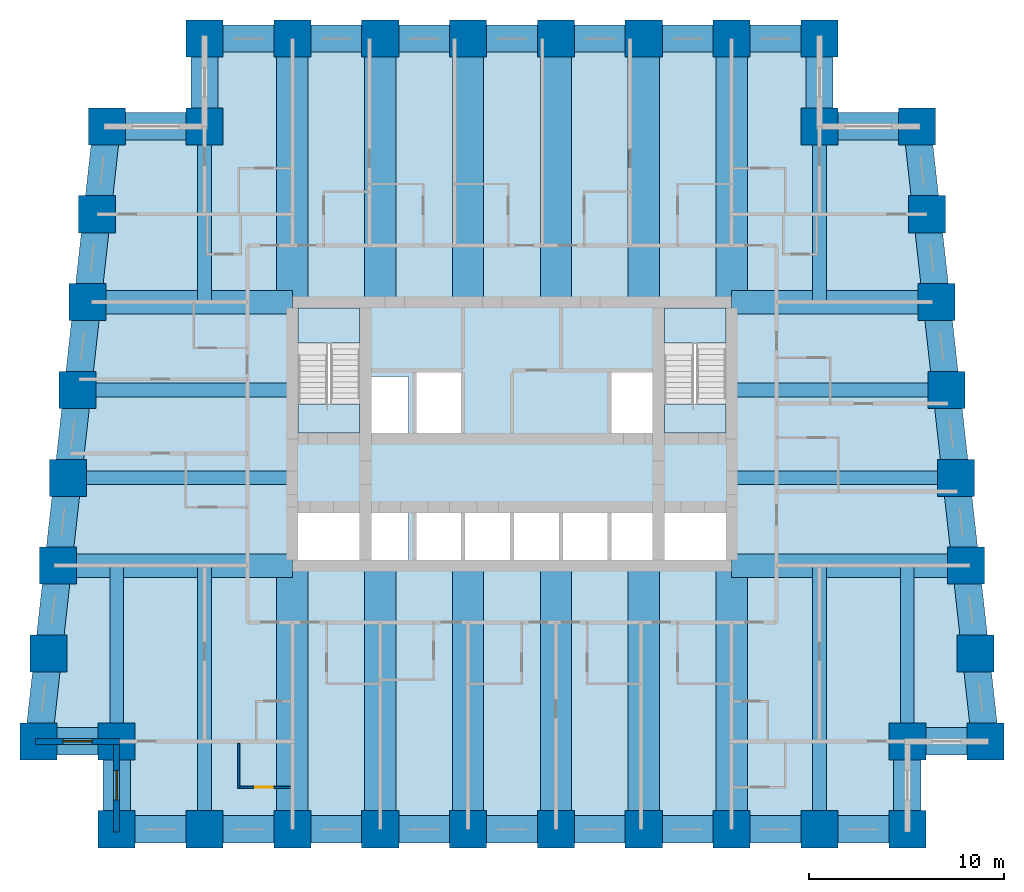
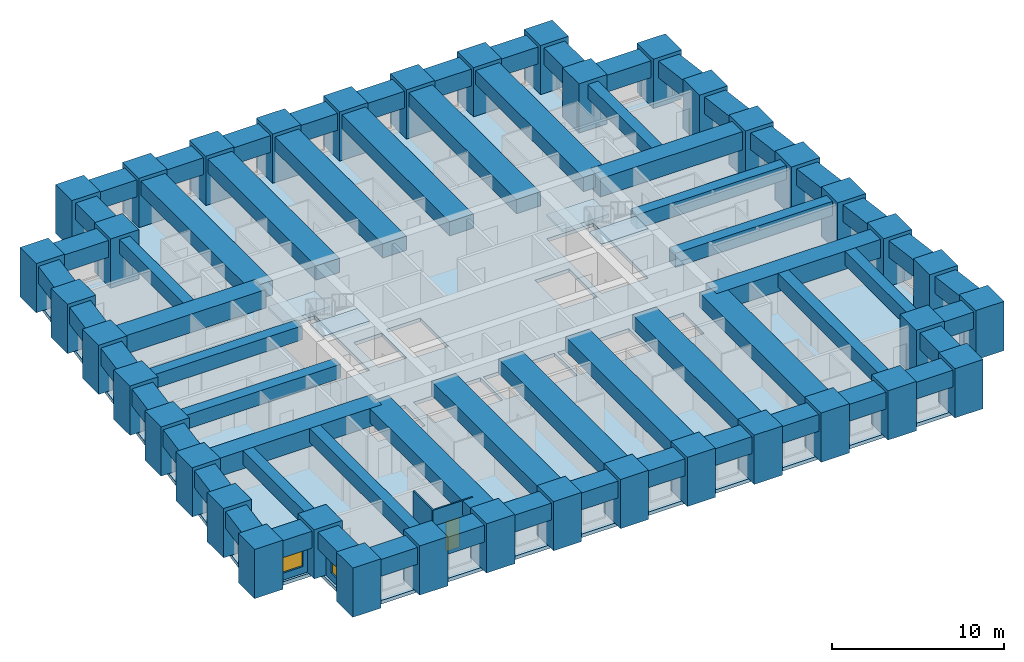
# One storey, part 1 of 8: 64 beams, 38 columns, 5 slabs, 4 walls, 2 windows, 1 door, 3 openings, 2 elements without a shape of their own.
"""IFC4 building model written with IfcOpenShell, lengths in metres."""

from ifc_helpers import new_model, si_unit, direction, frame, frame_2d, origin, origin_2d, place, context, subcontext, project, spatial, polyline, rectangle, outline, extrude, material, layer, layer_set, material_profile, profile_set, type_object, element, fill, aggregate, save


model = new_model("IFC4")

# Units and contexts
model_context = context("Model", 3, precision=1e-05, world=origin(), true_north=direction((0.0, 1.0)))
body_context = subcontext(model_context, "Body", "Model", "MODEL_VIEW")
ifc_project = project(units=[si_unit("LENGTHUNIT", "METRE"), si_unit("AREAUNIT", "SQUARE_METRE"), si_unit("VOLUMEUNIT", "CUBIC_METRE"), si_unit("PLANEANGLEUNIT", "RADIAN"), si_unit("MASSUNIT", "GRAM", prefix="KILO")], contexts=[model_context])

# Site, building, storey
site_placement = place(None, origin())
site = spatial("IfcSite", under=ifc_project, at=site_placement, CompositionType="ELEMENT")
building_placement = place(site_placement, origin())
building = spatial("IfcBuilding", under=site, at=building_placement, Name="Kilele Tower Hotel", CompositionType="ELEMENT")
storey_placement = place(building_placement, frame((0.0, 0.0, 68.199951171875)))
storey = spatial("IfcBuildingStorey", under=building, at=storey_placement, Name="L16", CompositionType="ELEMENT", Elevation=68.199951171875)

# Columns
ifc_material_1 = material(Name="Concrete C80/95", Category="concrete")
ifc_material_profile_1 = material_profile(ifc_material_1, rectangle(XDim=1.89990234375, YDim=1.89990234375, at=origin_2d()))
ifc_profile_set_1 = profile_set([ifc_material_profile_1], Name="Concrete C80/95")
column_type = type_object("IfcColumnType", Name="Tube column RC 1900x1900 C80/95", PredefinedType="COLUMN", material=ifc_profile_set_1)
for number, where, z_axis, x_axis, name in (
    (1, (0.5, 4.5, 0.0), (0.0, 0.0, 1.0), (1.0, 0.0, 0.0), "Column TC1 L16"),
    (2, (4.5, 4.5, 0.0), (0.0, 0.0, 1.0), (1.0, 0.0, 0.0), "Column TC1 L16"),
    (3, (4.5, 0.0, 0.0), (0.0, 0.0, 1.0), (1.0, 0.0, 0.0), "Column TC1 L16"),
    (4, (9.0, 0.0, 0.0), (0.0, 0.0, 1.0), (1.0, 0.0, 0.0), "Column TC1 L16"),
    (5, (13.5, 0.0, 0.0), (0.0, 0.0, 1.0), (1.0, 0.0, 0.0), "Column TC1 L16"),
    (6, (18.0, 0.0, 0.0), (0.0, 0.0, 1.0), (1.0, 0.0, 0.0), "Column TC1 L16"),
    (7, (22.5, 0.0, 0.0), (0.0, 0.0, 1.0), (1.0, 0.0, 0.0), "Column TC1 L16"),
    (8, (27.0, 0.0, 0.0), (0.0, 0.0, 1.0), (1.0, 0.0, 0.0), "Column TC1 L16"),
    (9, (31.5, 0.0, 0.0), (0.0, 0.0, 1.0), (1.0, 0.0, 0.0), "Column TC1 L16"),
    (10, (36.0, 0.0, 0.0), (0.0, 0.0, 1.0), (1.0, 0.0, 0.0), "Column TC1 L16"),
    (11, (40.5, 0.0, 0.0), (0.0, 0.0, 1.0), (1.0, 0.0, 0.0), "Column TC1 L16"),
    (12, (45.0, 0.0, 0.0), (0.0, 0.0, 1.0), (1.0, 0.0, 0.0), "Column TC1 L16"),
    (13, (45.0, 4.5, 0.0), (0.0, 0.0, 1.0), (1.0, 0.0, 0.0), "Column TC1 L16"),
    (14, (49.0, 4.5, 0.0), (0.0, 0.0, 1.0), (1.0, 0.0, 0.0), "Column TC1 L16"),
    (15, (48.5, 9.0, 0.0), (0.0, 0.0, 1.0), (1.0, 0.0, 0.0), "Column TC1 L16"),
    (16, (48.0, 13.5, 0.0), (0.0, 0.0, 1.0), (1.0, 0.0, 0.0), "Column TC1 L16"),
    (17, (47.5, 18.0, 0.0), (0.0, 0.0, 1.0), (1.0, 0.0, 0.0), "Column TC1 L16"),
    (18, (47.0, 22.5, 0.0), (0.0, 0.0, 1.0), (1.0, 0.0, 0.0), "Column TC1 L16"),
    (19, (46.5, 27.0, 0.0), (0.0, 0.0, 1.0), (1.0, 0.0, 0.0), "Column TC1 L16"),
    (20, (46.0, 31.5, 0.0), (0.0, 0.0, 1.0), (1.0, 0.0, 0.0), "Column TC1 L16"),
    (21, (45.5, 36.0, 0.0), (0.0, 0.0, 1.0), (1.0, 0.0, 0.0), "Column TC1 L16"),
    (22, (40.5, 36.0, 0.0), (0.0, 0.0, 1.0), (1.0, 0.0, 0.0), "Column TC1 L16"),
    (23, (40.5, 40.5, 0.0), (0.0, 0.0, 1.0), (1.0, 0.0, 0.0), "Column TC1 L16"),
    (24, (36.0, 40.5, 0.0), (0.0, 0.0, 1.0), (1.0, 0.0, 0.0), "Column TC1 L16"),
    (25, (31.5, 40.5, 0.0), (0.0, 0.0, 1.0), (1.0, 0.0, 0.0), "Column TC1 L16"),
    (26, (27.0, 40.5, 0.0), (0.0, 0.0, 1.0), (1.0, 0.0, 0.0), "Column TC1 L16"),
    (27, (22.5, 40.5, 0.0), (0.0, 0.0, 1.0), (1.0, 0.0, 0.0), "Column TC1 L16"),
    (28, (18.0, 40.5, 0.0), (0.0, 0.0, 1.0), (1.0, 0.0, 0.0), "Column TC1 L16"),
    (29, (13.5, 40.5, 0.0), (0.0, 0.0, 1.0), (1.0, 0.0, 0.0), "Column TC1 L16"),
    (30, (9.0, 40.5, 0.0), (0.0, 0.0, 1.0), (1.0, 0.0, 0.0), "Column TC1 L16"),
    (31, (9.0, 36.0, 0.0), (0.0, 0.0, 1.0), (1.0, 0.0, 0.0), "Column TC1 L16"),
    (32, (4.0, 36.0, 0.0), (0.0, 0.0, 1.0), (1.0, 0.0, 0.0), "Column TC1 L16"),
    (33, (3.5, 31.5, 0.0), (0.0, 0.0, 1.0), (1.0, 0.0, 0.0), "Column TC1 L16"),
    (34, (3.0, 27.0, 0.0), (0.0, 0.0, 1.0), (1.0, 0.0, 0.0), "Column TC1 L16"),
    (35, (2.5, 22.5, 0.0), (0.0, 0.0, 1.0), (1.0, 0.0, 0.0), "Column TC1 L16"),
    (36, (2.0, 18.0, 0.0), (0.0, 0.0, 1.0), (1.0, 0.0, 0.0), "Column TC1 L16"),
    (37, (1.5, 13.5, 0.0), (0.0, 0.0, 1.0), (1.0, 0.0, 0.0), "Column TC1 L16"),
    (38, (1.0, 9.0, 0.0), (0.0, 0.0, 1.0), (1.0, 0.0, 0.0), "Column TC1 L16"),
):
    element("IfcColumn", number, at=place(storey_placement, frame(where, z_axis=z_axis, x_axis=x_axis)), inside=storey, type_object=column_type, Name=name, PredefinedType="COLUMN", context=body_context, shape_type="SweptSolid", body=[
        extrude(rectangle(XDim=1.89990234375, YDim=1.89990234375, at=origin_2d()), origin(), (0.0, 0.0, 1.0), 3.5),
    ])

# Beams
ifc_material_2 = material(Name="Concrete C60/75", Category="concrete")
ifc_material_profile_2 = material_profile(ifc_material_2, rectangle(XDim=1.60009765625, YDim=1.0, at=origin_2d()))
ifc_profile_set_2 = profile_set([ifc_material_profile_2], Name="Concrete C60/75")
beam_type_1 = type_object("IfcBeamType", Name="Beam RC 1600x1000 C60/75", PredefinedType="BEAM", material=ifc_profile_set_2)
for number, where, z_axis, x_axis, name in (
    (39, (13.5, 0.0, 2.75), (0.0, 1.0, 0.0), (-1.0, 0.0, 0.0), "Beam BC1 level L17"),
    (40, (18.0, 0.0, 2.75), (0.0, 1.0, 0.0), (-1.0, 0.0, 0.0), "Beam BC1 level L17"),
    (41, (22.5, 0.0, 2.75), (0.0, 1.0, 0.0), (-1.0, 0.0, 0.0), "Beam BC1 level L17"),
    (42, (27.0, 0.0, 2.75), (0.0, 1.0, 0.0), (-1.0, 0.0, 0.0), "Beam BC1 level L17"),
    (43, (31.5, 0.0, 2.75), (0.0, 1.0, 0.0), (-1.0, 0.0, 0.0), "Beam BC1 level L17"),
    (44, (36.0, 0.0, 2.75), (0.0, 1.0, 0.0), (-1.0, 0.0, 0.0), "Beam BC1 level L17"),
    (45, (36.0, 40.5, 2.75), (0.0, -1.0, 0.0), (1.0, 0.0, 0.0), "Beam BC1 level L17"),
    (46, (31.5, 40.5, 2.75), (0.0, -1.0, 0.0), (1.0, 0.0, 0.0), "Beam BC1 level L17"),
    (47, (27.0, 40.5, 2.75), (0.0, -1.0, 0.0), (1.0, 0.0, 0.0), "Beam BC1 level L17"),
    (48, (22.5, 40.5, 2.75), (0.0, -1.0, 0.0), (1.0, 0.0, 0.0), "Beam BC1 level L17"),
    (49, (18.0, 40.5, 2.75), (0.0, -1.0, 0.0), (1.0, 0.0, 0.0), "Beam BC1 level L17"),
    (50, (13.5, 40.5, 2.75), (0.0, -1.0, 0.0), (1.0, 0.0, 0.0), "Beam BC1 level L17"),
):
    element("IfcBeam", number, at=place(storey_placement, frame(where, z_axis=z_axis, x_axis=x_axis)), inside=storey, type_object=beam_type_1, Name=name, PredefinedType="BEAM", context=body_context, shape_type="SweptSolid", body=[
        extrude(rectangle(XDim=1.60009765625, YDim=1.0, at=origin_2d()), origin(), (0.0, 0.0, 1.0), 13.5),
    ])
ifc_material_3 = material(Name="Concrete C60/75", Category="concrete")
ifc_material_profile_3 = material_profile(ifc_material_3, rectangle(XDim=0.699951171875, YDim=1.0, at=origin_2d()))
ifc_profile_set_3 = profile_set([ifc_material_profile_3], Name="Concrete C60/75")
beam_type_2 = type_object("IfcBeamType", Name="Beam RC 700x1000 C60/75", PredefinedType="BEAM", material=ifc_profile_set_3)
for number, where, z_axis, x_axis, name in (
    (51, (9.0, 0.0, 2.75), (0.0, 1.0, 0.0), (-1.0, 0.0, 0.0), "Beam B4 level L17"),
    (52, (40.5, 0.0, 2.75), (0.0, 1.0, 0.0), (-1.0, 0.0, 0.0), "Beam B4 level L17"),
):
    element("IfcBeam", number, at=place(storey_placement, frame(where, z_axis=z_axis, x_axis=x_axis)), inside=storey, type_object=beam_type_2, Name=name, PredefinedType="BEAM", context=body_context, shape_type="SweptSolid", body=[
        extrude(rectangle(XDim=0.699951171875, YDim=1.0, at=origin_2d()), origin(), (0.0, 0.0, 1.0), 13.5),
    ])
ifc_material_4 = material(Name="Concrete C60/75", Category="concrete")
ifc_material_profile_4 = material_profile(ifc_material_4, rectangle(XDim=0.699951171875, YDim=1.0, at=origin_2d()))
ifc_profile_set_4 = profile_set([ifc_material_profile_4], Name="Concrete C60/75")
beam_type_3 = type_object("IfcBeamType", Name="Beam RC 700x1000 C60/75 mid span", PredefinedType="BEAM", material=ifc_profile_set_4)
for number, where, z_axis, x_axis, name in (
    (53, (4.5, 4.5, 2.75), (0.0, 1.0, 0.0), (-1.0, 0.0, 0.0), "Beam B5 level L17"),
    (54, (45.0, 4.5, 2.75), (0.0, 1.0, 0.0), (-1.0, 0.0, 0.0), "Beam B5 level L17"),
):
    element("IfcBeam", number, at=place(storey_placement, frame(where, z_axis=z_axis, x_axis=x_axis)), inside=storey, type_object=beam_type_3, Name=name, PredefinedType="BEAM", context=body_context, shape_type="SweptSolid", body=[
        extrude(rectangle(XDim=0.699951171875, YDim=1.0, at=origin_2d()), origin(), (0.0, 0.0, 1.0), 9.0),
    ])
beam_1_placement = place(storey_placement, frame((47.5, 18.0, 2.75), z_axis=(-1.0, 0.0, 0.0), x_axis=(0.0, -1.0, 0.0)))
element("IfcBeam", 55, at=beam_1_placement, inside=storey, type_object=beam_type_3, Name="Beam B5 level L17", PredefinedType="BEAM", context=body_context, shape_type="SweptSolid", body=[
    extrude(rectangle(XDim=0.699951171875, YDim=1.0, at=origin_2d()), origin(), (0.0, 0.0, 1.0), 11.5),
])
beam_2_placement = place(storey_placement, frame((47.0, 22.5, 2.75), z_axis=(-1.0, 0.0, 0.0), x_axis=(0.0, -1.0, 0.0)))
element("IfcBeam", 56, at=beam_2_placement, inside=storey, type_object=beam_type_3, Name="Beam B5 level L17", PredefinedType="BEAM", context=body_context, shape_type="SweptSolid", body=[
    extrude(rectangle(XDim=0.699951171875, YDim=1.0, at=origin_2d()), origin(), (0.0, 0.0, 1.0), 11.0),
])
for number, where, z_axis, x_axis, name in (
    (57, (40.5, 36.0, 2.75), (0.0, -1.0, 0.0), (1.0, 0.0, 0.0), "Beam B5 level L17"),
    (58, (9.0, 36.0, 2.75), (0.0, -1.0, 0.0), (1.0, 0.0, 0.0), "Beam B5 level L17"),
):
    element("IfcBeam", number, at=place(storey_placement, frame(where, z_axis=z_axis, x_axis=x_axis)), inside=storey, type_object=beam_type_3, Name=name, PredefinedType="BEAM", context=body_context, shape_type="SweptSolid", body=[
        extrude(rectangle(XDim=0.699951171875, YDim=1.0, at=origin_2d()), origin(), (0.0, 0.0, 1.0), 9.0),
    ])
beam_3_placement = place(storey_placement, frame((2.5, 22.5, 2.75), z_axis=(1.0, 0.0, 0.0), x_axis=(0.0, 1.0, 0.0)))
element("IfcBeam", 59, at=beam_3_placement, inside=storey, type_object=beam_type_3, Name="Beam B5 level L17", PredefinedType="BEAM", context=body_context, shape_type="SweptSolid", body=[
    extrude(rectangle(XDim=0.699951171875, YDim=1.0, at=origin_2d()), origin(), (0.0, 0.0, 1.0), 11.0),
])
beam_4_placement = place(storey_placement, frame((2.0, 18.0, 2.75), z_axis=(1.0, 0.0, 0.0), x_axis=(0.0, 1.0, 0.0)))
element("IfcBeam", 60, at=beam_4_placement, inside=storey, type_object=beam_type_3, Name="Beam B5 level L17", PredefinedType="BEAM", context=body_context, shape_type="SweptSolid", body=[
    extrude(rectangle(XDim=0.699951171875, YDim=1.0, at=origin_2d()), origin(), (0.0, 0.0, 1.0), 11.5),
])
ifc_material_5 = material(Name="Concrete C60/75", Category="concrete")
ifc_material_profile_5 = material_profile(ifc_material_5, rectangle(XDim=1.199951171875, YDim=1.300048828125, at=origin_2d()))
ifc_profile_set_5 = profile_set([ifc_material_profile_5], Name="Concrete C60/75")
beam_type_4 = type_object("IfcBeamType", Name="Girder RC 1200x1300 C60/75", PredefinedType="BEAM", material=ifc_profile_set_5)
for number, where, z_axis, x_axis, name in (
    (61, (48.0, 13.5, 2.60009765625), (-1.0, 0.0, 0.0), (0.0, -1.0, 0.0), "Girder G1 level L17"),
    (62, (1.5, 13.5, 2.60009765625), (1.0, 0.0, 0.0), (0.0, 1.0, 0.0), "Girder G1 level L17"),
):
    element("IfcBeam", number, at=place(storey_placement, frame(where, z_axis=z_axis, x_axis=x_axis)), inside=storey, type_object=beam_type_4, Name=name, PredefinedType="BEAM", context=body_context, shape_type="SweptSolid", body=[
        extrude(rectangle(XDim=1.199951171875, YDim=1.300048828125, at=origin_2d()), origin(), (0.0, 0.0, 1.0), 12.0),
    ])
ifc_material_6 = material(Name="Concrete C60/75", Category="concrete")
ifc_material_profile_6 = material_profile(ifc_material_6, rectangle(XDim=1.199951171875, YDim=1.300048828125, at=origin_2d()))
ifc_profile_set_6 = profile_set([ifc_material_profile_6], Name="Concrete C60/75")
beam_type_5 = type_object("IfcBeamType", Name="Girder RC 1200x1300 C60/75 mid span", PredefinedType="BEAM", material=ifc_profile_set_6)
for number, where, z_axis, x_axis, name in (
    (63, (46.5, 27.0, 2.60009765625), (-1.0, 0.0, 0.0), (0.0, -1.0, 0.0), "Girder G3 level L17"),
    (64, (3.0, 27.0, 2.60009765625), (1.0, 0.0, 0.0), (0.0, 1.0, 0.0), "Girder G3 level L17"),
):
    element("IfcBeam", number, at=place(storey_placement, frame(where, z_axis=z_axis, x_axis=x_axis)), inside=storey, type_object=beam_type_5, Name=name, PredefinedType="BEAM", context=body_context, shape_type="SweptSolid", body=[
        extrude(rectangle(XDim=1.199951171875, YDim=1.300048828125, at=origin_2d()), origin(), (0.0, 0.0, 1.0), 10.5),
    ])
ifc_material_7 = material(Name="Concrete C60/75", Category="concrete")
ifc_material_profile_7 = material_profile(ifc_material_7, rectangle(XDim=1.39990234375, YDim=1.199951171875, at=origin_2d()))
ifc_profile_set_7 = profile_set([ifc_material_profile_7], Name="Concrete C60/75")
beam_type_6 = type_object("IfcBeamType", Name="Spandrel RC 1400x1200 C60/75", PredefinedType="SPANDREL", material=ifc_profile_set_7)
beam_5_placement = place(storey_placement, frame((0.5, 4.5, 2.650146484375), z_axis=(1.0, 0.0, 0.0), x_axis=(0.0, 1.0, 0.0)))
element("IfcBeam", 65, at=beam_5_placement, inside=storey, type_object=beam_type_6, Name="Spandrel SP10 level L17", PredefinedType="SPANDREL", context=body_context, shape_type="SweptSolid", body=[
    extrude(rectangle(XDim=1.39990234375, YDim=1.199951171875, at=origin_2d()), origin(), (0.0, 0.0, 1.0), 4.0),
])
for number, where, z_axis, x_axis, name in (
    (66, (4.5, 4.5, 2.650146484375), (0.0, -1.0, 0.0), (1.0, 0.0, 0.0), "Spandrel SP10 level L17"),
    (67, (4.5, 0.0, 2.650146484375), (1.0, 0.0, 0.0), (0.0, 1.0, 0.0), "Spandrel SP10 level L17"),
    (68, (9.0, 0.0, 2.650146484375), (1.0, 0.0, 0.0), (0.0, 1.0, 0.0), "Spandrel SP10 level L17"),
    (69, (13.5, 0.0, 2.650146484375), (1.0, 0.0, 0.0), (0.0, 1.0, 0.0), "Spandrel SP10 level L17"),
    (70, (18.0, 0.0, 2.650146484375), (1.0, 0.0, 0.0), (0.0, 1.0, 0.0), "Spandrel SP10 level L17"),
    (71, (22.5, 0.0, 2.650146484375), (1.0, 0.0, 0.0), (0.0, 1.0, 0.0), "Spandrel SP10 level L17"),
    (72, (27.0, 0.0, 2.650146484375), (1.0, 0.0, 0.0), (0.0, 1.0, 0.0), "Spandrel SP10 level L17"),
    (73, (31.5, 0.0, 2.650146484375), (1.0, 0.0, 0.0), (0.0, 1.0, 0.0), "Spandrel SP10 level L17"),
    (74, (36.0, 0.0, 2.650146484375), (1.0, 0.0, 0.0), (0.0, 1.0, 0.0), "Spandrel SP10 level L17"),
    (75, (40.5, 0.0, 2.650146484375), (1.0, 0.0, 0.0), (0.0, 1.0, 0.0), "Spandrel SP10 level L17"),
    (76, (45.0, 0.0, 2.650146484375), (0.0, 1.0, 0.0), (-1.0, 0.0, 0.0), "Spandrel SP10 level L17"),
):
    element("IfcBeam", number, at=place(storey_placement, frame(where, z_axis=z_axis, x_axis=x_axis)), inside=storey, type_object=beam_type_6, Name=name, PredefinedType="SPANDREL", context=body_context, shape_type="SweptSolid", body=[
        extrude(rectangle(XDim=1.39990234375, YDim=1.199951171875, at=origin_2d()), origin(), (0.0, 0.0, 1.0), 4.5),
    ])
beam_6_placement = place(storey_placement, frame((45.0, 4.5, 2.650146484375), z_axis=(1.0, 0.0, 0.0), x_axis=(0.0, 1.0, 0.0)))
element("IfcBeam", 77, at=beam_6_placement, inside=storey, type_object=beam_type_6, Name="Spandrel SP10 level L17", PredefinedType="SPANDREL", context=body_context, shape_type="SweptSolid", body=[
    extrude(rectangle(XDim=1.39990234375, YDim=1.199951171875, at=origin_2d()), origin(), (0.0, 0.0, 1.0), 4.0),
])
for number, where, z_axis, x_axis, name in (
    (78, (49.0, 4.5, 2.650146484375), (-0.110431526075, 0.993883734674, 0.0), (-0.993883734674, -0.110431526075, 0.0), "Spandrel SP10 level L17"),
    (79, (48.5, 9.0, 2.650146484375), (-0.110431526075, 0.993883734674, 0.0), (-0.993883734674, -0.110431526075, 0.0), "Spandrel SP10 level L17"),
    (80, (48.0, 13.5, 2.650146484375), (-0.110431526075, 0.993883734674, 0.0), (-0.993883734674, -0.110431526075, 0.0), "Spandrel SP10 level L17"),
    (81, (47.5, 18.0, 2.650146484375), (-0.110431526075, 0.993883734674, 0.0), (-0.993883734674, -0.110431526075, 0.0), "Spandrel SP10 level L17"),
    (82, (47.0, 22.5, 2.650146484375), (-0.110431526075, 0.993883734674, 0.0), (-0.993883734674, -0.110431526075, 0.0), "Spandrel SP10 level L17"),
    (83, (46.5, 27.0, 2.650146484375), (-0.110431526075, 0.993883734674, 0.0), (-0.993883734674, -0.110431526075, 0.0), "Spandrel SP10 level L17"),
    (84, (46.0, 31.5, 2.650146484375), (-0.110431526075, 0.993883734674, 0.0), (-0.993883734674, -0.110431526075, 0.0), "Spandrel SP10 level L17"),
):
    element("IfcBeam", number, at=place(storey_placement, frame(where, z_axis=z_axis, x_axis=x_axis)), inside=storey, type_object=beam_type_6, Name=name, PredefinedType="SPANDREL", context=body_context, shape_type="SweptSolid", body=[
        extrude(rectangle(XDim=1.39990234375, YDim=1.199951171875, at=origin_2d()), origin(), (0.0, 0.0, 1.0), 4.527587890625),
    ])
beam_7_placement = place(storey_placement, frame((45.5, 36.0, 2.650146484375), z_axis=(-1.0, 0.0, 0.0), x_axis=(0.0, -1.0, 0.0)))
element("IfcBeam", 85, at=beam_7_placement, inside=storey, type_object=beam_type_6, Name="Spandrel SP10 level L17", PredefinedType="SPANDREL", context=body_context, shape_type="SweptSolid", body=[
    extrude(rectangle(XDim=1.39990234375, YDim=1.199951171875, at=origin_2d()), origin(), (0.0, 0.0, 1.0), 5.0),
])
for number, where, z_axis, x_axis, name in (
    (86, (40.5, 36.0, 2.650146484375), (0.0, 1.0, 0.0), (-1.0, 0.0, 0.0), "Spandrel SP10 level L17"),
    (87, (40.5, 40.5, 2.650146484375), (-1.0, 0.0, 0.0), (0.0, -1.0, 0.0), "Spandrel SP10 level L17"),
    (88, (36.0, 40.5, 2.650146484375), (-1.0, 0.0, 0.0), (0.0, -1.0, 0.0), "Spandrel SP10 level L17"),
    (89, (31.5, 40.5, 2.650146484375), (-1.0, 0.0, 0.0), (0.0, -1.0, 0.0), "Spandrel SP10 level L17"),
    (90, (27.0, 40.5, 2.650146484375), (-1.0, 0.0, 0.0), (0.0, -1.0, 0.0), "Spandrel SP10 level L17"),
    (91, (22.5, 40.5, 2.650146484375), (-1.0, 0.0, 0.0), (0.0, -1.0, 0.0), "Spandrel SP10 level L17"),
    (92, (18.0, 40.5, 2.650146484375), (-1.0, 0.0, 0.0), (0.0, -1.0, 0.0), "Spandrel SP10 level L17"),
    (93, (13.5, 40.5, 2.650146484375), (-1.0, 0.0, 0.0), (0.0, -1.0, 0.0), "Spandrel SP10 level L17"),
    (94, (9.0, 40.5, 2.650146484375), (0.0, -1.0, 0.0), (1.0, 0.0, 0.0), "Spandrel SP10 level L17"),
):
    element("IfcBeam", number, at=place(storey_placement, frame(where, z_axis=z_axis, x_axis=x_axis)), inside=storey, type_object=beam_type_6, Name=name, PredefinedType="SPANDREL", context=body_context, shape_type="SweptSolid", body=[
        extrude(rectangle(XDim=1.39990234375, YDim=1.199951171875, at=origin_2d()), origin(), (0.0, 0.0, 1.0), 4.5),
    ])
beam_8_placement = place(storey_placement, frame((9.0, 36.0, 2.650146484375), z_axis=(-1.0, 0.0, 0.0), x_axis=(0.0, -1.0, 0.0)))
element("IfcBeam", 95, at=beam_8_placement, inside=storey, type_object=beam_type_6, Name="Spandrel SP10 level L17", PredefinedType="SPANDREL", context=body_context, shape_type="SweptSolid", body=[
    extrude(rectangle(XDim=1.39990234375, YDim=1.199951171875, at=origin_2d()), origin(), (0.0, 0.0, 1.0), 5.0),
])
for number, where, z_axis, x_axis, name in (
    (96, (4.0, 36.0, 2.650146484375), (-0.110431526075, -0.993883734674, 0.0), (0.993883734674, -0.110431526075, 0.0), "Spandrel SP10 level L17"),
    (97, (3.5, 31.5, 2.650146484375), (-0.110431526075, -0.993883734674, 0.0), (0.993883734674, -0.110431526075, 0.0), "Spandrel SP10 level L17"),
    (98, (3.0, 27.0, 2.650146484375), (-0.110431526075, -0.993883734674, 0.0), (0.993883734674, -0.110431526075, 0.0), "Spandrel SP10 level L17"),
    (99, (2.5, 22.5, 2.650146484375), (-0.110431526075, -0.993883734674, 0.0), (0.993883734674, -0.110431526075, 0.0), "Spandrel SP10 level L17"),
    (100, (2.0, 18.0, 2.650146484375), (-0.110431526075, -0.993883734674, 0.0), (0.993883734674, -0.110431526075, 0.0), "Spandrel SP10 level L17"),
    (101, (1.5, 13.5, 2.650146484375), (-0.110431526075, -0.993883734674, 0.0), (0.993883734674, -0.110431526075, 0.0), "Spandrel SP10 level L17"),
    (102, (1.0, 9.0, 2.650146484375), (-0.110431526075, -0.993883734674, 0.0), (0.993883734674, -0.110431526075, 0.0), "Spandrel SP10 level L17"),
):
    element("IfcBeam", number, at=place(storey_placement, frame(where, z_axis=z_axis, x_axis=x_axis)), inside=storey, type_object=beam_type_6, Name=name, PredefinedType="SPANDREL", context=body_context, shape_type="SweptSolid", body=[
        extrude(rectangle(XDim=1.39990234375, YDim=1.199951171875, at=origin_2d()), origin(), (0.0, 0.0, 1.0), 4.527587890625),
    ])

# Slab
ifc_material_8 = material(Name="Concrete C60/75", Category="concrete")
ifc_layer_1 = layer(ifc_material_8, 0.25)
ifc_layer_set_1 = layer_set([ifc_layer_1], Name="Concrete C60/75")
slab_type_1 = type_object("IfcSlabType", Name="Floor slab 250", PredefinedType="FLOOR", material=ifc_layer_set_1)
slab_1_placement = place(storey_placement, frame((0.0, 0.0, -0.25)))
element("IfcSlab", 103, at=slab_1_placement, inside=storey, type_object=slab_type_1, Name="Floor slab L16", PredefinedType="FLOOR", context=body_context, shape_type="SweptSolid", body=[
    extrude(outline(polyline([(8.699951171875, 36.300048828125), (8.699951171875, 40.800048828125), (40.800048828125, 40.800048828125), (40.800048828125, 36.300048828125), (45.7685546875, 36.300048828125), (49.335205078125, 4.199951171875), (45.300048828125, 4.199951171875), (45.300048828125, -0.300048828125), (4.199951171875, -0.300048828125), (4.199951171875, 4.199951171875), (0.164794921875, 4.199951171875), (3.7314453125, 36.300048828125), (8.699951171875, 36.300048828125)]), holes=[polyline([(16.949951171875, 16.199951171875), (13.800048828125, 16.199951171875), (13.800048828125, 13.800048828125), (16.949951171875, 13.800048828125), (16.949951171875, 16.199951171875)]), polyline([(19.449951171875, 13.800048828125), (19.449951171875, 16.199951171875), (17.550048828125, 16.199951171875), (17.550048828125, 13.800048828125), (19.449951171875, 13.800048828125)]), polyline([(22.14990234375, 13.800048828125), (22.14990234375, 16.39990234375), (19.85009765625, 16.39990234375), (19.85009765625, 13.800048828125), (22.14990234375, 13.800048828125)]), polyline([(24.64990234375, 16.39990234375), (22.35009765625, 16.39990234375), (22.35009765625, 13.800048828125), (24.64990234375, 13.800048828125), (24.64990234375, 16.39990234375)]), polyline([(19.449951171875, 20.300048828125), (19.449951171875, 23.199951171875), (17.550048828125, 23.199951171875), (17.550048828125, 20.300048828125), (19.449951171875, 20.300048828125)]), polyline([(22.14990234375, 20.10009765625), (22.14990234375, 23.39990234375), (19.85009765625, 23.39990234375), (19.85009765625, 20.10009765625), (22.14990234375, 20.10009765625)]), polyline([(16.949951171875, 26.699951171875), (13.800048828125, 26.699951171875), (13.800048828125, 20.300048828125), (16.949951171875, 20.300048828125), (16.949951171875, 26.699951171875)]), polyline([(35.699951171875, 13.800048828125), (35.699951171875, 16.199951171875), (32.550048828125, 16.199951171875), (32.550048828125, 13.800048828125), (35.699951171875, 13.800048828125)]), polyline([(27.14990234375, 13.800048828125), (27.14990234375, 16.39990234375), (24.85009765625, 16.39990234375), (24.85009765625, 13.800048828125), (27.14990234375, 13.800048828125)]), polyline([(29.64990234375, 13.800048828125), (29.64990234375, 16.39990234375), (27.35009765625, 16.39990234375), (27.35009765625, 13.800048828125), (29.64990234375, 13.800048828125)]), polyline([(32.14990234375, 13.800048828125), (32.14990234375, 16.39990234375), (29.85009765625, 16.39990234375), (29.85009765625, 13.800048828125), (32.14990234375, 13.800048828125)]), polyline([(32.14990234375, 20.10009765625), (32.14990234375, 23.39990234375), (29.85009765625, 23.39990234375), (29.85009765625, 20.10009765625), (32.14990234375, 20.10009765625)]), polyline([(35.699951171875, 20.300048828125), (35.699951171875, 26.699951171875), (32.550048828125, 26.699951171875), (32.550048828125, 20.300048828125), (35.699951171875, 20.300048828125)])]), origin(), (0.0, 0.0, 1.0), 0.25),
])

# Stair, slabs
ifc_material_9 = material(Name="Precast concrete C40/50", Category="concrete")
stair_type = type_object("IfcStairType", Name="Stair 1475 x 3500", PredefinedType="HALF_TURN_STAIR", material=ifc_material_9)
stair_1_placement = place(storey_placement, origin())
stair_1 = element("IfcStair", 104, at=stair_1_placement, inside=storey, type_object=stair_type, Name="Stair 1 L16", PredefinedType="HALF_TURN_STAIR")
ifc_material_10 = material(Name="Precast concrete C40/50", Category="concrete")
ifc_layer_2 = layer(ifc_material_10, 0.199951171875)
ifc_layer_set_2 = layer_set([ifc_layer_2], Name="Precast concrete C40/50")
slab_type_2 = type_object("IfcSlabType", Name="Stair landing 200", PredefinedType="LANDING", material=ifc_layer_set_2)
slab_2_placement = place(storey_placement, frame((0.0, 0.0, 1.550048828125)))
slab_2 = element("IfcSlab", 105, at=slab_2_placement, type_object=slab_type_2, Name="ST1 landing 1", PredefinedType="LANDING", context=body_context, shape_type="SweptSolid", body=[
    extrude(outline(polyline([(13.800048828125, 24.89501953125), (16.949951171875, 24.89501953125), (16.949951171875, 26.699951171875), (13.800048828125, 26.699951171875), (13.800048828125, 24.89501953125)])), origin(), (0.0, 0.0, 1.0), 0.199951171875),
])
slab_3_placement = place(storey_placement, frame((0.0, 0.0, 3.300048828125)))
slab_3 = element("IfcSlab", 106, at=slab_3_placement, type_object=slab_type_2, Name="ST1 landing 2", PredefinedType="LANDING", context=body_context, shape_type="SweptSolid", body=[
    extrude(outline(polyline([(13.800048828125, 20.300048828125), (16.949951171875, 20.300048828125), (16.949951171875, 21.77490234375), (13.800048828125, 21.77490234375), (13.800048828125, 20.300048828125)])), origin(), (0.0, 0.0, 1.0), 0.199951171875),
])
aggregate(stair_1, [slab_2, slab_3])

stair_2_placement = place(storey_placement, origin())
stair_2 = element("IfcStair", 107, at=stair_2_placement, inside=storey, type_object=stair_type, Name="Stair 2 L16", PredefinedType="HALF_TURN_STAIR")
slab_4_placement = place(storey_placement, frame((0.0, 0.0, 1.550048828125)))
slab_4 = element("IfcSlab", 108, at=slab_4_placement, type_object=slab_type_2, Name="ST2 landing 1", PredefinedType="LANDING", context=body_context, shape_type="SweptSolid", body=[
    extrude(outline(polyline([(32.550048828125, 24.89501953125), (35.699951171875, 24.89501953125), (35.699951171875, 26.699951171875), (32.550048828125, 26.699951171875), (32.550048828125, 24.89501953125)])), origin(), (0.0, 0.0, 1.0), 0.199951171875),
])
slab_5_placement = place(storey_placement, frame((0.0, 0.0, 3.300048828125)))
slab_5 = element("IfcSlab", 109, at=slab_5_placement, type_object=slab_type_2, Name="ST2 landing 2", PredefinedType="LANDING", context=body_context, shape_type="SweptSolid", body=[
    extrude(outline(polyline([(32.550048828125, 20.300048828125), (35.699951171875, 20.300048828125), (35.699951171875, 21.77490234375), (32.550048828125, 21.77490234375), (32.550048828125, 20.300048828125)])), origin(), (0.0, 0.0, 1.0), 0.199951171875),
])
aggregate(stair_2, [slab_4, slab_5])

# Wall
ifc_material_11 = material(Name="Moisture-resistant board")
ifc_layer_3 = layer(ifc_material_11, 0.10009765625)
ifc_layer_set_3 = layer_set([ifc_layer_3], Name="Moisture-resistant board")
wall_type_1 = type_object("IfcWallType", Name="Bathroom partition 100", PredefinedType="PLUMBINGWALL", material=ifc_layer_set_3)
wall_1_placement = place(storey_placement, frame((10.75, 4.39990234375, 0.0), z_axis=(0.0, 0.0, 1.0), x_axis=(0.0, -1.0, 0.0)))
element("IfcWall", 110, at=wall_1_placement, inside=storey, type_object=wall_type_1, Name="Bathroom partition 100 L16", PredefinedType="PLUMBINGWALL", context=body_context, shape_type="SweptSolid", body=[
    extrude(rectangle(XDim=2.2998046875, YDim=0.10009765625, at=frame_2d((1.14990234375, 0.0))), origin(), (0.0, 0.0, 1.0), 3.25),
])

# Wall, opening, door
wall_2_placement = place(storey_placement, frame((13.39990234375, 2.14990234375, 0.0), z_axis=(0.0, 0.0, 1.0), x_axis=(-1.0, 0.0, 0.0)))
wall_2 = element("IfcWall", 111, at=wall_2_placement, inside=storey, type_object=wall_type_1, Name="Bathroom partition 100 L16", PredefinedType="PLUMBINGWALL", context=body_context, shape_type="SweptSolid", body=[
    extrude(rectangle(XDim=2.699951171875, YDim=0.10009765625, at=frame_2d((1.35009765625, 0.0))), origin(), (0.0, 0.0, 1.0), 3.25),
])
opening_1_placement = place(wall_2_placement, frame((0.89990234375, 0.0, 0.0)))
opening_1 = element("IfcOpeningElement", 112, at=opening_1_placement, cuts=wall_2, Name="Opening D2A", PredefinedType="OPENING", context=body_context, shape_type="SweptSolid", body=[
    extrude(rectangle(XDim=0.89990234375, YDim=2.10009765625, at=frame_2d((0.449951171875, 1.050048828125))), frame((0.0, 0.06005859375, 0.0), z_axis=(0.0, -1.0, 0.0), x_axis=(1.0, 0.0, 0.0)), (0.0, 0.0, 1.0), 0.1201171875),
])
ifc_material_12 = material(Name="Timber door leaf in hardwood frame", Category="wood")
door_type = type_object("IfcDoorType", Name="Bathroom door 900", OperationType="SINGLE_SWING_LEFT", PredefinedType="DOOR", material=ifc_material_12)
door_placement = place(opening_1_placement, origin())
door = element("IfcDoor", 113, at=door_placement, inside=storey, type_object=door_type, Name="Bathroom door 1619B", OperationType="SINGLE_SWING_LEFT", OverallHeight=2.10009765625, OverallWidth=0.89990234375, PredefinedType="DOOR", context=body_context, shape_type="SweptSolid", body=[
    extrude(rectangle(XDim=0.89990234375, YDim=2.10009765625, at=frame_2d((0.449951171875, 1.050048828125))), frame((0.0, 0.02490234375, 0.0), z_axis=(0.0, -1.0, 0.0), x_axis=(1.0, 0.0, 0.0)), (0.0, 0.0, 1.0), 0.050048828125),
])
fill(opening_1, door)

# Wall, opening, window
ifc_material_13 = material(Name="Concrete C40/50 precast", Category="concrete")
ifc_layer_4 = layer(ifc_material_13, 0.260009765625, Name="Precast backing", Category="LoadBearing")
ifc_material_14 = material(Name="Reconstituted stone finish", Category="masonry")
ifc_layer_5 = layer(ifc_material_14, 0.0400390625, Name="Face mix", Category="Finish")
ifc_layer_set_4 = layer_set([ifc_layer_4, ifc_layer_5], Name="Precast concrete C40/50, reconstituted stone finish")
wall_type_2 = type_object("IfcWallType", Name="Precast stone facade wall 300", PredefinedType="STANDARD", material=ifc_layer_set_4)
wall_3_placement = place(storey_placement, frame((0.35009765625, 4.5, 0.0), z_axis=(0.0, 0.0, 1.0), x_axis=(1.0, 0.0, 0.0)))
wall_3 = element("IfcWall", 114, at=wall_3_placement, inside=storey, type_object=wall_type_2, Name="Facade wall L16 edge 1", PredefinedType="STANDARD", context=body_context, shape_type="SweptSolid", body=[
    extrude(rectangle(XDim=4.2998046875, YDim=0.300048828125, at=frame_2d((2.14990234375, 0.0))), origin(), (0.0, 0.0, 1.0), 2.050048828125),
])
opening_2_placement = place(wall_3_placement, frame((1.39990234375, 0.0, 0.5)))
opening_2 = element("IfcOpeningElement", 115, at=opening_2_placement, cuts=wall_3, Name="Opening W1", PredefinedType="OPENING", context=body_context, shape_type="SweptSolid", body=[
    extrude(rectangle(XDim=1.5, YDim=1.39990234375, at=frame_2d((0.75, 0.699951171875))), frame((0.0, 0.159912109375, 0.0), z_axis=(0.0, -1.0, 0.0), x_axis=(1.0, 0.0, 0.0)), (0.0, 0.0, 1.0), 0.320068359375),
])
ifc_material_15 = material(Name="Aluminium frame, clear double glazing", Category="aluminium")
window_type = type_object("IfcWindowType", Name="Window W1 1500 x 1400", PartitioningType="SINGLE_PANEL", PredefinedType="WINDOW", material=ifc_material_15)
window_1_placement = place(opening_2_placement, origin())
window_1 = element("IfcWindow", 116, at=window_1_placement, inside=storey, type_object=window_type, Name="Window L16", OverallHeight=1.39990234375, OverallWidth=1.5, PartitioningType="SINGLE_PANEL", PredefinedType="WINDOW", context=body_context, shape_type="SweptSolid", body=[
    extrude(rectangle(XDim=1.5, YDim=1.39990234375, at=frame_2d((0.75, 0.699951171875))), frame((0.0, 0.030029296875, 0.0), z_axis=(0.0, -1.0, 0.0), x_axis=(1.0, 0.0, 0.0)), (0.0, 0.0, 1.0), 0.06005859375),
])
fill(opening_2, window_1)

wall_4_placement = place(storey_placement, frame((4.5, 4.64990234375, 0.0), z_axis=(0.0, 0.0, 1.0), x_axis=(0.0, -1.0, 0.0)))
wall_4 = element("IfcWall", 117, at=wall_4_placement, inside=storey, type_object=wall_type_2, Name="Facade wall L16 edge 2", PredefinedType="STANDARD", context=body_context, shape_type="SweptSolid", body=[
    extrude(rectangle(XDim=4.7998046875, YDim=0.300048828125, at=frame_2d((2.39990234375, 0.0))), origin(), (0.0, 0.0, 1.0), 2.050048828125),
])
opening_3_placement = place(wall_4_placement, frame((1.64990234375, 0.0, 0.5)))
opening_3 = element("IfcOpeningElement", 118, at=opening_3_placement, cuts=wall_4, Name="Opening W1", PredefinedType="OPENING", context=body_context, shape_type="SweptSolid", body=[
    extrude(rectangle(XDim=1.5, YDim=1.39990234375, at=frame_2d((0.75, 0.699951171875))), frame((0.0, 0.159912109375, 0.0), z_axis=(0.0, -1.0, 0.0), x_axis=(1.0, 0.0, 0.0)), (0.0, 0.0, 1.0), 0.320068359375),
])
window_2_placement = place(opening_3_placement, origin())
window_2 = element("IfcWindow", 119, at=window_2_placement, inside=storey, type_object=window_type, Name="Window L16", OverallHeight=1.39990234375, OverallWidth=1.5, PartitioningType="SINGLE_PANEL", PredefinedType="WINDOW", context=body_context, shape_type="SweptSolid", body=[
    extrude(rectangle(XDim=1.5, YDim=1.39990234375, at=frame_2d((0.75, 0.699951171875))), frame((0.0, 0.030029296875, 0.0), z_axis=(0.0, -1.0, 0.0), x_axis=(1.0, 0.0, 0.0)), (0.0, 0.0, 1.0), 0.06005859375),
])
fill(opening_3, window_2)

save(model, "model.ifc")
